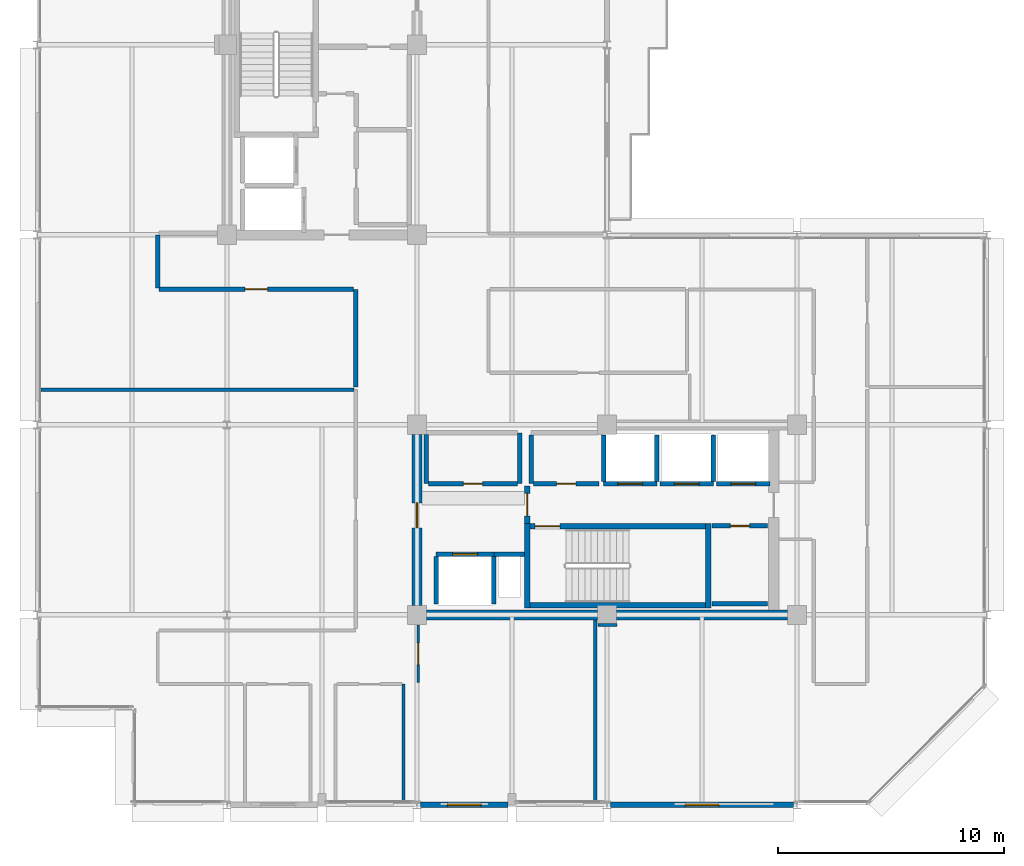
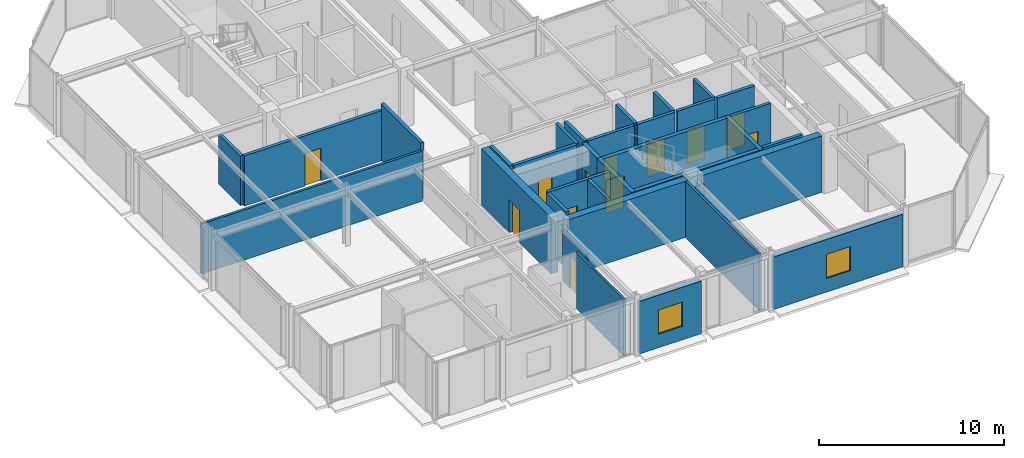
# One storey, part 21 of 27: 35 walls, 12 doors, 2 windows, 14 openings.
"""IFC4 building model written with IfcOpenShell, lengths in metres."""

from ifc_helpers import new_model, si_unit, direction, frame, frame_2d, origin, place, context, subcontext, project, spatial, rectangle, extrude, material, layer, layer_set, type_object, element, fill, save


model = new_model("IFC4")

# Units and contexts
model_context = context("Model", 3, precision=1e-05, world=origin(), true_north=direction((0.0, 1.0)))
body_context = subcontext(model_context, "Body", "Model", "MODEL_VIEW")
ifc_project = project(units=[si_unit("LENGTHUNIT", "METRE"), si_unit("AREAUNIT", "SQUARE_METRE"), si_unit("VOLUMEUNIT", "CUBIC_METRE"), si_unit("PLANEANGLEUNIT", "RADIAN"), si_unit("MASSUNIT", "GRAM", prefix="KILO")], contexts=[model_context])

# Site, building, storey
site_placement = place(None, origin())
site = spatial("IfcSite", under=ifc_project, at=site_placement, CompositionType="ELEMENT")
building_placement = place(site_placement, origin())
building = spatial("IfcBuilding", under=site, at=building_placement, Name="Nerrivon Quay Data Exchange", CompositionType="ELEMENT")
storey_placement = place(building_placement, frame((0.0, 0.0, 254.199951171875)))
storey = spatial("IfcBuildingStorey", under=building, at=storey_placement, Name="L60", CompositionType="ELEMENT", Elevation=254.199951171875)

# Wall, opening, window
ifc_material_1 = material(Name="Architectural terracotta precast concrete N50 (50 MPa)", Category="masonry")
ifc_layer_1 = layer(ifc_material_1, 0.239990234375)
ifc_layer_set_1 = layer_set([ifc_layer_1], Name="Architectural terracotta precast concrete N50 (50 MPa)")
wall_type_1 = type_object("IfcWallType", Name="EW-PREC-240", PredefinedType="STANDARD", material=ifc_layer_set_1)
wall_1_placement = place(storey_placement, frame((33.444580078125, 0.0, 0.0), z_axis=(0.0, 0.0, 1.0), x_axis=(-1.0, 0.0, 0.0)))
wall_1 = element("IfcWall", 1, at=wall_1_placement, inside=storey, type_object=wall_type_1, Name="L60 Podium Precast Spandrel Wall 3", PredefinedType="STANDARD", context=body_context, shape_type="SweptSolid", body=[
    extrude(rectangle(XDim=8.089111328125, YDim=0.239990234375, at=frame_2d((4.04443359375, 0.0))), origin(), (0.0, 0.0, 1.0), 3.47509765625),
])
opening_1_placement = place(wall_1_placement, frame((3.29443359375, 0.0, 0.89990234375)))
opening_1 = element("IfcOpeningElement", 2, at=opening_1_placement, cuts=wall_1, Name="Opening WN4", PredefinedType="OPENING", context=body_context, shape_type="SweptSolid", body=[
    extrude(rectangle(XDim=1.5, YDim=1.60009765625, at=frame_2d((0.75, 0.800048828125))), frame((0.0, 0.1298828125, 0.0), z_axis=(0.0, -1.0, 0.0), x_axis=(1.0, 0.0, 0.0)), (0.0, 0.0, 1.0), 0.260009765625),
])
ifc_material_2 = material(Name="Double-glazed low-E solar control glass", Category="glass")
window_type = type_object("IfcWindowType", Name="WIN-W4-1500x1600", PartitioningType="SINGLE_PANEL", PredefinedType="WINDOW", material=ifc_material_2)
window_1_placement = place(opening_1_placement, origin())
window_1 = element("IfcWindow", 3, at=window_1_placement, inside=storey, type_object=window_type, Name="L60 Solar Facade Window 3", OverallHeight=1.60009765625, OverallWidth=1.5, PartitioningType="SINGLE_PANEL", PredefinedType="WINDOW", context=body_context, shape_type="SweptSolid", body=[
    extrude(rectangle(XDim=1.5, YDim=1.60009765625, at=frame_2d((0.75, 0.800048828125))), frame((0.0, 0.030029296875, 0.0), z_axis=(0.0, -1.0, 0.0), x_axis=(1.0, 0.0, 0.0)), (0.0, 0.0, 1.0), 0.06005859375),
])
fill(opening_1, window_1)

wall_2_placement = place(storey_placement, frame((20.824951171875, 0.0, 0.0), z_axis=(0.0, 0.0, 1.0), x_axis=(-1.0, 0.0, 0.0)))
wall_2 = element("IfcWall", 4, at=wall_2_placement, inside=storey, type_object=wall_type_1, Name="L60 Podium Precast Spandrel Wall 5", PredefinedType="STANDARD", context=body_context, shape_type="SweptSolid", body=[
    extrude(rectangle(XDim=3.869384765625, YDim=0.239990234375, at=frame_2d((1.9345703125, 0.0))), origin(), (0.0, 0.0, 1.0), 3.47509765625),
])
opening_2_placement = place(wall_2_placement, frame((1.184814453125, 0.0, 0.89990234375)))
opening_2 = element("IfcOpeningElement", 5, at=opening_2_placement, cuts=wall_2, Name="Opening WN4", PredefinedType="OPENING", context=body_context, shape_type="SweptSolid", body=[
    extrude(rectangle(XDim=1.5, YDim=1.60009765625, at=frame_2d((0.75, 0.800048828125))), frame((0.0, 0.1298828125, 0.0), z_axis=(0.0, -1.0, 0.0), x_axis=(1.0, 0.0, 0.0)), (0.0, 0.0, 1.0), 0.260009765625),
])
window_2_placement = place(opening_2_placement, origin())
window_2 = element("IfcWindow", 6, at=window_2_placement, inside=storey, type_object=window_type, Name="L60 Solar Facade Window 5", OverallHeight=1.60009765625, OverallWidth=1.5, PartitioningType="SINGLE_PANEL", PredefinedType="WINDOW", context=body_context, shape_type="SweptSolid", body=[
    extrude(rectangle(XDim=1.5, YDim=1.60009765625, at=frame_2d((0.75, 0.800048828125))), frame((0.0, 0.030029296875, 0.0), z_axis=(0.0, -1.0, 0.0), x_axis=(1.0, 0.0, 0.0)), (0.0, 0.0, 1.0), 0.06005859375),
])
fill(opening_2, window_2)

# Walls
ifc_material_3 = material(Name="Concrete N50 (50 MPa)", Category="concrete")
ifc_layer_2 = layer(ifc_material_3, 0.449951171875)
ifc_layer_set_2 = layer_set([ifc_layer_2], Name="Concrete N50 (50 MPa)")
wall_type_2 = type_object("IfcWallType", Name="WALL-CW-550", PredefinedType="SHEAR", material=ifc_layer_set_2)
wall_3_placement = place(storey_placement, frame((17.22509765625, 8.39990234375, 0.0), z_axis=(0.0, 0.0, 1.0), x_axis=(1.0, 0.0, 0.0)))
element("IfcWall", 7, at=wall_3_placement, inside=storey, type_object=wall_type_2, Name="L60 East Split-Core Shear Wall ECW-S1", PredefinedType="SHEAR", context=body_context, shape_type="SweptSolid", body=[
    extrude(rectangle(XDim=7.5498046875, YDim=0.449951171875, at=frame_2d((3.77490234375, 0.0))), origin(), (0.0, 0.0, 1.0), 3.72509765625),
])
wall_4_placement = place(storey_placement, frame((25.625, 8.39990234375, 0.0), z_axis=(0.0, 0.0, 1.0), x_axis=(1.0, 0.0, 0.0)))
element("IfcWall", 8, at=wall_4_placement, inside=storey, type_object=wall_type_2, Name="L60 East Split-Core Shear Wall ECW-S2", PredefinedType="SHEAR", context=body_context, shape_type="SweptSolid", body=[
    extrude(rectangle(XDim=7.550048828125, YDim=0.449951171875, at=frame_2d((3.77490234375, 0.0))), origin(), (0.0, 0.0, 1.0), 3.72509765625),
])

# Wall, opening, door
wall_5_placement = place(storey_placement, frame((16.800048828125, 8.824951171875, 0.0), z_axis=(0.0, 0.0, 1.0), x_axis=(0.0, 1.0, 0.0)))
wall_5 = element("IfcWall", 9, at=wall_5_placement, inside=storey, type_object=wall_type_2, Name="L60 East Split-Core Shear Wall ECW-W1", PredefinedType="SHEAR", context=body_context, shape_type="SweptSolid", body=[
    extrude(rectangle(XDim=7.550048828125, YDim=0.449951171875, at=frame_2d((3.77490234375, 0.0))), origin(), (0.0, 0.0, 1.0), 3.72509765625),
])
opening_3_placement = place(wall_5_placement, frame((3.425048828125, 0.0, 0.0)))
opening_3 = element("IfcOpeningElement", 10, at=opening_3_placement, cuts=wall_5, Name="Opening FD-120", PredefinedType="OPENING", context=body_context, shape_type="SweptSolid", body=[
    extrude(rectangle(XDim=1.10009765625, YDim=2.14990234375, at=frame_2d((0.550048828125, 1.074951171875))), frame((0.0, 0.23486328125, 0.0), z_axis=(0.0, -1.0, 0.0), x_axis=(1.0, 0.0, 0.0)), (0.0, 0.0, 1.0), 0.469970703125),
])
ifc_material_4 = material(Name="Powder-coated galvanized steel sheet", Category="steel")
door_type_1 = type_object("IfcDoorType", Name="DR-FD120-1100", OperationType="NOTDEFINED", PredefinedType="DOOR", material=ifc_material_4)
door_1_placement = place(opening_3_placement, origin())
door_1 = element("IfcDoor", 11, at=door_1_placement, inside=storey, type_object=door_type_1, Name="L60 East Core Lobby Fire Door", OperationType="SINGLE_SWING_RIGHT", OverallHeight=2.14990234375, OverallWidth=1.10009765625, PredefinedType="DOOR", context=body_context, shape_type="SweptSolid", body=[
    extrude(rectangle(XDim=1.10009765625, YDim=2.14990234375, at=frame_2d((0.550048828125, 1.074951171875))), frame((0.0, 0.02490234375, 0.0), z_axis=(0.0, -1.0, 0.0), x_axis=(1.0, 0.0, 0.0)), (0.0, 0.0, 1.0), 0.050048828125),
])
fill(opening_3, door_1)

# Wall
ifc_material_5 = material(Name="Gypsum plasterboard on cold-formed framing", Category="gypsum")
ifc_layer_3 = layer(ifc_material_5, 0.199951171875)
ifc_layer_set_3 = layer_set([ifc_layer_3], Name="Gypsum plasterboard on cold-formed framing")
wall_type_3 = type_object("IfcWallType", Name="WALL-FW-200", PredefinedType="PARTITIONING", material=ifc_layer_set_3)
wall_6_placement = place(storey_placement, frame((20.199951171875, 11.080078125, 0.0), z_axis=(0.0, 0.0, 1.0), x_axis=(1.0, 0.0, 0.0)))
element("IfcWall", 12, at=wall_6_placement, inside=storey, type_object=wall_type_3, Name="L60 East Core MEP Riser Shaft Wall N", PredefinedType="PARTITIONING", context=body_context, shape_type="SweptSolid", body=[
    extrude(rectangle(XDim=1.35009765625, YDim=0.199951171875, at=frame_2d((0.675048828125, 0.0))), origin(), (0.0, 0.0, 1.0), 3.72509765625),
])

# Wall, opening, door
wall_7_placement = place(storey_placement, frame((17.64990234375, 11.080078125, 0.0), z_axis=(0.0, 0.0, 1.0), x_axis=(1.0, 0.0, 0.0)))
wall_7 = element("IfcWall", 13, at=wall_7_placement, inside=storey, type_object=wall_type_3, Name="L60 Lift Front Wall FFL-2", PredefinedType="PARTITIONING", context=body_context, shape_type="SweptSolid", body=[
    extrude(rectangle(XDim=2.550048828125, YDim=0.199951171875, at=frame_2d((1.27490234375, 0.0))), origin(), (0.0, 0.0, 1.0), 3.72509765625),
])
opening_4_placement = place(wall_7_placement, frame((0.72509765625, 0.0, 0.0)))
opening_4 = element("IfcOpeningElement", 14, at=opening_4_placement, cuts=wall_7, Name="Opening LD-120", PredefinedType="OPENING", context=body_context, shape_type="SweptSolid", body=[
    extrude(rectangle(XDim=1.10009765625, YDim=2.199951171875, at=frame_2d((0.550048828125, 1.10009765625))), frame((0.0, 0.10986328125, 0.0), z_axis=(0.0, -1.0, 0.0), x_axis=(1.0, 0.0, 0.0)), (0.0, 0.0, 1.0), 0.219970703125),
])
door_type_2 = type_object("IfcDoorType", Name="DR-LIFT-LD120", OperationType="DOUBLE_DOOR_SLIDING", PredefinedType="DOOR", material=ifc_material_4)
door_2_placement = place(opening_4_placement, origin())
door_2 = element("IfcDoor", 15, at=door_2_placement, inside=storey, type_object=door_type_2, Name="L60 Lift Landing Sliding Door FFL-2", OperationType="DOUBLE_DOOR_SLIDING", OverallHeight=2.199951171875, OverallWidth=1.10009765625, PredefinedType="DOOR", context=body_context, shape_type="SweptSolid", body=[
    extrude(rectangle(XDim=1.10009765625, YDim=2.199951171875, at=frame_2d((0.550048828125, 1.10009765625))), frame((0.0, 0.02490234375, 0.0), z_axis=(0.0, -1.0, 0.0), x_axis=(1.0, 0.0, 0.0)), (0.0, 0.0, 1.0), 0.050048828125),
])
fill(opening_4, door_2)

# Walls
for number, where, z_axis, x_axis, name in (
    (16, (20.199951171875, 8.8798828125, 0.0), (0.0, 0.0, 1.0), (0.0, 1.0, 0.0), "L60 Lift Shaft Wall FFL-2 EAST"),
    (17, (17.64990234375, 8.8798828125, 0.0), (0.0, 0.0, 1.0), (0.0, 1.0, 0.0), "L60 Lift Shaft Wall FFL-2 WEST"),
):
    element("IfcWall", number, at=place(storey_placement, frame(where, z_axis=z_axis, x_axis=x_axis)), inside=storey, type_object=wall_type_3, Name=name, PredefinedType="PARTITIONING", context=body_context, shape_type="SweptSolid", body=[
        extrude(rectangle(XDim=2.10009765625, YDim=0.199951171875, at=frame_2d((1.050048828125, 0.0))), origin(), (0.0, 0.0, 1.0), 3.72509765625),
    ])

# Wall, opening, door
wall_8_placement = place(storey_placement, frame((25.050048828125, 14.199951171875, 0.0), z_axis=(0.0, 0.0, 1.0), x_axis=(1.0, 0.0, 0.0)))
wall_8 = element("IfcWall", 18, at=wall_8_placement, inside=storey, type_object=wall_type_3, Name="L60 Lift Front Wall PL7", PredefinedType="PARTITIONING", context=body_context, shape_type="SweptSolid", body=[
    extrude(rectangle(XDim=2.349853515625, YDim=0.199951171875, at=frame_2d((1.1748046875, 0.0))), origin(), (0.0, 0.0, 1.0), 3.72509765625),
])
opening_5_placement = place(wall_8_placement, frame((0.625, 0.0, 0.0)))
opening_5 = element("IfcOpeningElement", 19, at=opening_5_placement, cuts=wall_8, Name="Opening LD-120", PredefinedType="OPENING", context=body_context, shape_type="SweptSolid", body=[
    extrude(rectangle(XDim=1.10009765625, YDim=2.199951171875, at=frame_2d((0.550048828125, 1.10009765625))), frame((0.0, 0.10986328125, 0.0), z_axis=(0.0, -1.0, 0.0), x_axis=(1.0, 0.0, 0.0)), (0.0, 0.0, 1.0), 0.219970703125),
])
door_3_placement = place(opening_5_placement, origin())
door_3 = element("IfcDoor", 20, at=door_3_placement, inside=storey, type_object=door_type_2, Name="L60 Lift Landing Sliding Door PL7", OperationType="DOUBLE_DOOR_SLIDING", OverallHeight=2.199951171875, OverallWidth=1.10009765625, PredefinedType="DOOR", context=body_context, shape_type="SweptSolid", body=[
    extrude(rectangle(XDim=1.10009765625, YDim=2.199951171875, at=frame_2d((0.550048828125, 1.10009765625))), frame((0.0, 0.02490234375, 0.0), z_axis=(0.0, -1.0, 0.0), x_axis=(1.0, 0.0, 0.0)), (0.0, 0.0, 1.0), 0.050048828125),
])
fill(opening_5, door_3)

# Walls
for number, where, z_axis, x_axis, name in (
    (21, (27.39990234375, 14.300048828125, 0.0), (0.0, 0.0, 1.0), (0.0, 1.0, 0.0), "L60 Lift Shaft Wall PL7 EAST"),
    (22, (25.050048828125, 14.300048828125, 0.0), (0.0, 0.0, 1.0), (0.0, 1.0, 0.0), "L60 Lift Shaft Wall PL7 WEST"),
):
    element("IfcWall", number, at=place(storey_placement, frame(where, z_axis=z_axis, x_axis=x_axis)), inside=storey, type_object=wall_type_3, Name=name, PredefinedType="PARTITIONING", context=body_context, shape_type="SweptSolid", body=[
        extrude(rectangle(XDim=2.050048828125, YDim=0.199951171875, at=frame_2d((1.02490234375, 0.0))), origin(), (0.0, 0.0, 1.0), 3.72509765625),
    ])

# Wall, opening, door
wall_9_placement = place(storey_placement, frame((27.550048828125, 14.199951171875, 0.0), z_axis=(0.0, 0.0, 1.0), x_axis=(1.0, 0.0, 0.0)))
wall_9 = element("IfcWall", 23, at=wall_9_placement, inside=storey, type_object=wall_type_3, Name="L60 Lift Front Wall PL8", PredefinedType="PARTITIONING", context=body_context, shape_type="SweptSolid", body=[
    extrude(rectangle(XDim=2.349853515625, YDim=0.199951171875, at=frame_2d((1.1748046875, 0.0))), origin(), (0.0, 0.0, 1.0), 3.72509765625),
])
opening_6_placement = place(wall_9_placement, frame((0.625, 0.0, 0.0)))
opening_6 = element("IfcOpeningElement", 24, at=opening_6_placement, cuts=wall_9, Name="Opening LD-120", PredefinedType="OPENING", context=body_context, shape_type="SweptSolid", body=[
    extrude(rectangle(XDim=1.10009765625, YDim=2.199951171875, at=frame_2d((0.550048828125, 1.10009765625))), frame((0.0, 0.10986328125, 0.0), z_axis=(0.0, -1.0, 0.0), x_axis=(1.0, 0.0, 0.0)), (0.0, 0.0, 1.0), 0.219970703125),
])
door_4_placement = place(opening_6_placement, origin())
door_4 = element("IfcDoor", 25, at=door_4_placement, inside=storey, type_object=door_type_2, Name="L60 Lift Landing Sliding Door PL8", OperationType="DOUBLE_DOOR_SLIDING", OverallHeight=2.199951171875, OverallWidth=1.10009765625, PredefinedType="DOOR", context=body_context, shape_type="SweptSolid", body=[
    extrude(rectangle(XDim=1.10009765625, YDim=2.199951171875, at=frame_2d((0.550048828125, 1.10009765625))), frame((0.0, 0.02490234375, 0.0), z_axis=(0.0, -1.0, 0.0), x_axis=(1.0, 0.0, 0.0)), (0.0, 0.0, 1.0), 0.050048828125),
])
fill(opening_6, door_4)

# Wall
wall_10_placement = place(storey_placement, frame((29.89990234375, 14.300048828125, 0.0), z_axis=(0.0, 0.0, 1.0), x_axis=(0.0, 1.0, 0.0)))
element("IfcWall", 26, at=wall_10_placement, inside=storey, type_object=wall_type_3, Name="L60 Lift Shaft Wall PL8 EAST", PredefinedType="PARTITIONING", context=body_context, shape_type="SweptSolid", body=[
    extrude(rectangle(XDim=2.050048828125, YDim=0.199951171875, at=frame_2d((1.02490234375, 0.0))), origin(), (0.0, 0.0, 1.0), 3.72509765625),
])

# Wall, opening, door
wall_11_placement = place(storey_placement, frame((30.050048828125, 14.199951171875, 0.0), z_axis=(0.0, 0.0, 1.0), x_axis=(1.0, 0.0, 0.0)))
wall_11 = element("IfcWall", 27, at=wall_11_placement, inside=storey, type_object=wall_type_3, Name="L60 Lift Front Wall PL9", PredefinedType="PARTITIONING", context=body_context, shape_type="SweptSolid", body=[
    extrude(rectangle(XDim=2.349853515625, YDim=0.199951171875, at=frame_2d((1.1748046875, 0.0))), origin(), (0.0, 0.0, 1.0), 3.72509765625),
])
opening_7_placement = place(wall_11_placement, frame((0.625, 0.0, 0.0)))
opening_7 = element("IfcOpeningElement", 28, at=opening_7_placement, cuts=wall_11, Name="Opening LD-120", PredefinedType="OPENING", context=body_context, shape_type="SweptSolid", body=[
    extrude(rectangle(XDim=1.10009765625, YDim=2.199951171875, at=frame_2d((0.550048828125, 1.10009765625))), frame((0.0, 0.10986328125, 0.0), z_axis=(0.0, -1.0, 0.0), x_axis=(1.0, 0.0, 0.0)), (0.0, 0.0, 1.0), 0.219970703125),
])
door_5_placement = place(opening_7_placement, origin())
door_5 = element("IfcDoor", 29, at=door_5_placement, inside=storey, type_object=door_type_2, Name="L60 Lift Landing Sliding Door PL9", OperationType="DOUBLE_DOOR_SLIDING", OverallHeight=2.199951171875, OverallWidth=1.10009765625, PredefinedType="DOOR", context=body_context, shape_type="SweptSolid", body=[
    extrude(rectangle(XDim=1.10009765625, YDim=2.199951171875, at=frame_2d((0.550048828125, 1.10009765625))), frame((0.0, 0.02490234375, 0.0), z_axis=(0.0, -1.0, 0.0), x_axis=(1.0, 0.0, 0.0)), (0.0, 0.0, 1.0), 0.050048828125),
])
fill(opening_7, door_5)

# Walls
wall_12_placement = place(storey_placement, frame((21.35009765625, 14.199951171875, 0.0), z_axis=(0.0, 0.0, 1.0), x_axis=(0.0, 1.0, 0.0)))
element("IfcWall", 30, at=wall_12_placement, inside=storey, type_object=wall_type_3, Name="L60 Partition High-Zone Optical Closet", PredefinedType="PARTITIONING", context=body_context, shape_type="SweptSolid", body=[
    extrude(rectangle(XDim=2.25, YDim=0.199951171875, at=frame_2d((1.125, 0.0))), origin(), (0.0, 0.0, 1.0), 3.72509765625),
])
wall_13_placement = place(storey_placement, frame((17.199951171875, 16.3701171875, 0.0), z_axis=(0.0, 0.0, 1.0), x_axis=(0.0, -1.0, 0.0)))
element("IfcWall", 31, at=wall_13_placement, inside=storey, type_object=wall_type_3, Name="L60 Partition High-Zone Optical Closet", PredefinedType="PARTITIONING", context=body_context, shape_type="SweptSolid", body=[
    extrude(rectangle(XDim=2.170166015625, YDim=0.199951171875, at=frame_2d((1.0849609375, 0.0))), origin(), (0.0, 0.0, 1.0), 3.72509765625),
])

# Wall, opening, door
wall_14_placement = place(storey_placement, frame((17.303955078125, 14.199951171875, 0.0), z_axis=(0.0, 0.0, 1.0), x_axis=(1.0, 0.0, 0.0)))
wall_14 = element("IfcWall", 32, at=wall_14_placement, inside=storey, type_object=wall_type_3, Name="L60 Partition High-Zone Optical Closet", PredefinedType="PARTITIONING", context=body_context, shape_type="SweptSolid", body=[
    extrude(rectangle(XDim=3.942138671875, YDim=0.199951171875, at=frame_2d((1.97119140625, 0.0))), origin(), (0.0, 0.0, 1.0), 3.72509765625),
])
opening_8_placement = place(wall_14_placement, frame((1.5458984375, 0.0, 0.0)))
opening_8 = element("IfcOpeningElement", 33, at=opening_8_placement, cuts=wall_14, Name="Opening FD-60S", PredefinedType="OPENING", context=body_context, shape_type="SweptSolid", body=[
    extrude(rectangle(XDim=0.85009765625, YDim=2.14990234375, at=frame_2d((0.425048828125, 1.074951171875))), frame((0.0, 0.10986328125, 0.0), z_axis=(0.0, -1.0, 0.0), x_axis=(1.0, 0.0, 0.0)), (0.0, 0.0, 1.0), 0.219970703125),
])
ifc_material_6 = material(Name="Engineered hardwood timber", Category="wood")
door_type_3 = type_object("IfcDoorType", Name="DR-FD60-850", OperationType="NOTDEFINED", PredefinedType="DOOR", material=ifc_material_6)
door_6_placement = place(opening_8_placement, origin())
door_6 = element("IfcDoor", 34, at=door_6_placement, inside=storey, type_object=door_type_3, Name="L60 Door High-Zone Optical Closet", OperationType="SINGLE_SWING_LEFT", OverallHeight=2.14990234375, OverallWidth=0.85009765625, PredefinedType="DOOR", context=body_context, shape_type="SweptSolid", body=[
    extrude(rectangle(XDim=0.85009765625, YDim=2.14990234375, at=frame_2d((0.425048828125, 1.074951171875))), frame((0.0, 0.02490234375, 0.0), z_axis=(0.0, -1.0, 0.0), x_axis=(1.0, 0.0, 0.0)), (0.0, 0.0, 1.0), 0.050048828125),
])
fill(opening_8, door_6)

# Wall
wall_15_placement = place(storey_placement, frame((21.85009765625, 16.345947265625, 0.0), z_axis=(0.0, 0.0, 1.0), x_axis=(0.0, -1.0, 0.0)))
element("IfcWall", 35, at=wall_15_placement, inside=storey, type_object=wall_type_3, Name="L60 Partition High-Zone Supply Store", PredefinedType="PARTITIONING", context=body_context, shape_type="SweptSolid", body=[
    extrude(rectangle(XDim=2.14599609375, YDim=0.199951171875, at=frame_2d((1.072998046875, 0.0))), origin(), (0.0, 0.0, 1.0), 3.72509765625),
])

# Wall, opening, door
wall_16_placement = place(storey_placement, frame((21.9541015625, 14.199951171875, 0.0), z_axis=(0.0, 0.0, 1.0), x_axis=(1.0, 0.0, 0.0)))
wall_16 = element("IfcWall", 36, at=wall_16_placement, inside=storey, type_object=wall_type_3, Name="L60 Partition High-Zone Supply Store", PredefinedType="PARTITIONING", context=body_context, shape_type="SweptSolid", body=[
    extrude(rectangle(XDim=2.89599609375, YDim=0.199951171875, at=frame_2d((1.447998046875, 0.0))), origin(), (0.0, 0.0, 1.0), 3.72509765625),
])
opening_9_placement = place(wall_16_placement, frame((1.02294921875, 0.0, 0.0)))
opening_9 = element("IfcOpeningElement", 37, at=opening_9_placement, cuts=wall_16, Name="Opening FD-60S", PredefinedType="OPENING", context=body_context, shape_type="SweptSolid", body=[
    extrude(rectangle(XDim=0.85009765625, YDim=2.14990234375, at=frame_2d((0.425048828125, 1.074951171875))), frame((0.0, 0.10986328125, 0.0), z_axis=(0.0, -1.0, 0.0), x_axis=(1.0, 0.0, 0.0)), (0.0, 0.0, 1.0), 0.219970703125),
])
door_7_placement = place(opening_9_placement, origin())
door_7 = element("IfcDoor", 38, at=door_7_placement, inside=storey, type_object=door_type_3, Name="L60 Door High-Zone Supply Store", OperationType="SINGLE_SWING_RIGHT", OverallHeight=2.14990234375, OverallWidth=0.85009765625, PredefinedType="DOOR", context=body_context, shape_type="SweptSolid", body=[
    extrude(rectangle(XDim=0.85009765625, YDim=2.14990234375, at=frame_2d((0.425048828125, 1.074951171875))), frame((0.0, 0.02490234375, 0.0), z_axis=(0.0, -1.0, 0.0), x_axis=(1.0, 0.0, 0.0)), (0.0, 0.0, 1.0), 0.050048828125),
])
fill(opening_9, door_7)

wall_17_placement = place(storey_placement, frame((32.300048828125, 12.330078125, 0.0), z_axis=(0.0, 0.0, 1.0), x_axis=(-1.0, 0.0, 0.0)))
wall_17 = element("IfcWall", 39, at=wall_17_placement, inside=storey, type_object=wall_type_3, Name="L60 Partition East Supply Store", PredefinedType="PARTITIONING", context=body_context, shape_type="SweptSolid", body=[
    extrude(rectangle(XDim=2.449951171875, YDim=0.199951171875, at=frame_2d((1.22509765625, 0.0))), origin(), (0.0, 0.0, 1.0), 3.72509765625),
])
opening_10_placement = place(wall_17_placement, frame((0.800048828125, 0.0, 0.0)))
opening_10 = element("IfcOpeningElement", 40, at=opening_10_placement, cuts=wall_17, Name="Opening FD-60S", PredefinedType="OPENING", context=body_context, shape_type="SweptSolid", body=[
    extrude(rectangle(XDim=0.85009765625, YDim=2.14990234375, at=frame_2d((0.425048828125, 1.074951171875))), frame((0.0, 0.10986328125, 0.0), z_axis=(0.0, -1.0, 0.0), x_axis=(1.0, 0.0, 0.0)), (0.0, 0.0, 1.0), 0.219970703125),
])
door_8_placement = place(opening_10_placement, origin())
door_8 = element("IfcDoor", 41, at=door_8_placement, inside=storey, type_object=door_type_3, Name="L60 Door East Supply Store", OperationType="SINGLE_SWING_LEFT", OverallHeight=2.14990234375, OverallWidth=0.85009765625, PredefinedType="DOOR", context=body_context, shape_type="SweptSolid", body=[
    extrude(rectangle(XDim=0.85009765625, YDim=2.14990234375, at=frame_2d((0.425048828125, 1.074951171875))), frame((0.0, 0.02490234375, 0.0), z_axis=(0.0, -1.0, 0.0), x_axis=(1.0, 0.0, 0.0)), (0.0, 0.0, 1.0), 0.050048828125),
])
fill(opening_10, door_8)

# Walls
wall_18_placement = place(storey_placement, frame((29.85009765625, 8.89990234375, 0.0), z_axis=(0.0, 0.0, 1.0), x_axis=(1.0, 0.0, 0.0)))
element("IfcWall", 42, at=wall_18_placement, inside=storey, type_object=wall_type_3, Name="L60 Partition East Supply Store", PredefinedType="PARTITIONING", context=body_context, shape_type="SweptSolid", body=[
    extrude(rectangle(XDim=2.449951171875, YDim=0.199951171875, at=frame_2d((1.22509765625, 0.0))), origin(), (0.0, 0.0, 1.0), 3.72509765625),
])
wall_19_placement = place(storey_placement, frame((14.090087890625, 18.474853515625, 0.0), z_axis=(0.0, 0.0, 1.0), x_axis=(0.0, 1.0, 0.0)))
element("IfcWall", 43, at=wall_19_placement, inside=storey, type_object=wall_type_3, Name="L60 Partition Colocation Data Workspace 1", PredefinedType="PARTITIONING", context=body_context, shape_type="SweptSolid", body=[
    extrude(rectangle(XDim=4.315185546875, YDim=0.199951171875, at=frame_2d((2.15771484375, 0.0))), origin(), (0.0, 0.0, 1.0), 3.72509765625),
])

# Wall, opening, door
wall_20_placement = place(storey_placement, frame((13.986083984375, 22.7900390625, 0.0), z_axis=(0.0, 0.0, 1.0), x_axis=(-1.0, 0.0, 0.0)))
wall_20 = element("IfcWall", 44, at=wall_20_placement, inside=storey, type_object=wall_type_3, Name="L60 Partition Colocation Data Workspace 1", PredefinedType="PARTITIONING", context=body_context, shape_type="SweptSolid", body=[
    extrude(rectangle(XDim=8.586181640625, YDim=0.199951171875, at=frame_2d((4.29296875, 0.0))), origin(), (0.0, 0.0, 1.0), 3.319091796875),
])
opening_11_placement = place(wall_20_placement, frame((3.79296875, 0.0, 0.0)))
opening_11 = element("IfcOpeningElement", 45, at=opening_11_placement, cuts=wall_20, Name="Opening FD-60", PredefinedType="OPENING", context=body_context, shape_type="SweptSolid", body=[
    extrude(rectangle(XDim=1.0, YDim=2.14990234375, at=frame_2d((0.5, 1.074951171875))), frame((0.0, 0.10986328125, 0.0), z_axis=(0.0, -1.0, 0.0), x_axis=(1.0, 0.0, 0.0)), (0.0, 0.0, 1.0), 0.219970703125),
])
door_type_4 = type_object("IfcDoorType", Name="DR-FD60-1000", OperationType="NOTDEFINED", PredefinedType="DOOR", material=ifc_material_6)
door_9_placement = place(opening_11_placement, origin())
door_9 = element("IfcDoor", 46, at=door_9_placement, inside=storey, type_object=door_type_4, Name="L60 Door Colocation Data Workspace 1", OperationType="SINGLE_SWING_LEFT", OverallHeight=2.14990234375, OverallWidth=1.0, PredefinedType="DOOR", context=body_context, shape_type="SweptSolid", body=[
    extrude(rectangle(XDim=1.0, YDim=2.14990234375, at=frame_2d((0.5, 1.074951171875))), frame((0.0, 0.02490234375, 0.0), z_axis=(0.0, -1.0, 0.0), x_axis=(1.0, 0.0, 0.0)), (0.0, 0.0, 1.0), 0.050048828125),
])
fill(opening_11, door_9)

# Wall
wall_21_placement = place(storey_placement, frame((5.340087890625, 22.85009765625, 0.0), z_axis=(0.0, 0.0, 1.0), x_axis=(0.0, 1.0, 0.0)))
element("IfcWall", 47, at=wall_21_placement, inside=storey, type_object=wall_type_3, Name="L60 Partition Colocation Data Workspace 1", PredefinedType="PARTITIONING", context=body_context, shape_type="SweptSolid", body=[
    extrude(rectangle(XDim=2.349853515625, YDim=0.199951171875, at=frame_2d((1.1748046875, 0.0))), origin(), (0.0, 0.0, 1.0), 3.27099609375),
])

# Wall, opening, door
ifc_layer_4 = layer(ifc_material_5, 0.1201171875)
ifc_layer_set_4 = layer_set([ifc_layer_4], Name="Gypsum plasterboard on cold-formed framing")
wall_type_4 = type_object("IfcWallType", Name="WALL-PT-120", PredefinedType="PARTITIONING", material=ifc_layer_set_4)
wall_22_placement = place(storey_placement, frame((16.860107421875, 7.955078125, 0.0), z_axis=(0.0, 0.0, 1.0), x_axis=(0.0, -1.0, 0.0)))
wall_22 = element("IfcWall", 48, at=wall_22_placement, inside=storey, type_object=wall_type_4, Name="L60 Partition Staff Tea Pantry", PredefinedType="PARTITIONING", context=body_context, shape_type="SweptSolid", body=[
    extrude(rectangle(XDim=2.55517578125, YDim=0.1201171875, at=frame_2d((1.277587890625, 0.0))), origin(), (0.0, 0.0, 1.0), 3.319091796875),
])
opening_12_placement = place(wall_22_placement, frame((0.802490234375, 0.0, 0.0)))
opening_12 = element("IfcOpeningElement", 49, at=opening_12_placement, cuts=wall_22, Name="Opening D-01", PredefinedType="OPENING", context=body_context, shape_type="SweptSolid", body=[
    extrude(rectangle(XDim=0.949951171875, YDim=2.14990234375, at=frame_2d((0.47509765625, 1.074951171875))), frame((0.0, 0.070068359375, 0.0), z_axis=(0.0, -1.0, 0.0), x_axis=(1.0, 0.0, 0.0)), (0.0, 0.0, 1.0), 0.14013671875),
])
door_type_5 = type_object("IfcDoorType", Name="DR-INT-950", OperationType="NOTDEFINED", PredefinedType="DOOR", material=ifc_material_6)
door_10_placement = place(opening_12_placement, origin())
door_10 = element("IfcDoor", 50, at=door_10_placement, inside=storey, type_object=door_type_5, Name="L60 Door Staff Tea Pantry", OperationType="SINGLE_SWING_RIGHT", OverallHeight=2.14990234375, OverallWidth=0.949951171875, PredefinedType="DOOR", context=body_context, shape_type="SweptSolid", body=[
    extrude(rectangle(XDim=0.949951171875, YDim=2.14990234375, at=frame_2d((0.47509765625, 1.074951171875))), frame((0.0, 0.02490234375, 0.0), z_axis=(0.0, -1.0, 0.0), x_axis=(1.0, 0.0, 0.0)), (0.0, 0.0, 1.0), 0.050048828125),
])
fill(opening_12, door_10)

# Walls
wall_23_placement = place(storey_placement, frame((25.630859375, 7.955810546875, 0.0), z_axis=(0.0, 0.0, 1.0), x_axis=(-0.999999606339, -0.000887311097, 0.0)))
element("IfcWall", 51, at=wall_23_placement, inside=storey, type_object=wall_type_4, Name="L60 Partition Peering Day Lounge", PredefinedType="PARTITIONING", context=body_context, shape_type="SweptSolid", body=[
    extrude(rectangle(XDim=0.825439453125, YDim=0.1201171875, at=frame_2d((0.41259765625, 0.0))), origin(), (0.0, 0.0, 1.0), 3.319091796875),
])
ifc_layer_5 = layer(ifc_material_5, 0.135009765625)
ifc_layer_set_5 = layer_set([ifc_layer_5], Name="Gypsum plasterboard on cold-formed framing")
wall_type_5 = type_object("IfcWallType", Name="WALL-PT-135", PredefinedType="PARTITIONING", material=ifc_layer_set_5)
wall_24_placement = place(storey_placement, frame((16.199951171875, 0.1689453125, 0.0), z_axis=(0.0, 0.0, 1.0), x_axis=(0.0, 1.0, 0.0)))
element("IfcWall", 52, at=wall_24_placement, inside=storey, type_object=wall_type_5, Name="L60 Partition Accessible Toilet", PredefinedType="PARTITIONING", context=body_context, shape_type="SweptSolid", body=[
    extrude(rectangle(XDim=5.171142578125, YDim=0.135009765625, at=frame_2d((2.58544921875, 0.0))), origin(), (0.0, 0.0, 1.0), 3.72509765625),
])
ifc_layer_6 = layer(ifc_material_5, 0.14990234375)
ifc_layer_set_6 = layer_set([ifc_layer_6], Name="Gypsum plasterboard on cold-formed framing")
wall_type_6 = type_object("IfcWallType", Name="WALL-PT-150", PredefinedType="PARTITIONING", material=ifc_layer_set_6)
wall_25_placement = place(storey_placement, frame((24.685546875, 0.1689453125, 0.0), z_axis=(0.0, 0.0, 1.0), x_axis=(0.0, 1.0, 0.0)))
element("IfcWall", 53, at=wall_25_placement, inside=storey, type_object=wall_type_6, Name="L60 Partition Staff Tea Pantry", PredefinedType="PARTITIONING", context=body_context, shape_type="SweptSolid", body=[
    extrude(rectangle(XDim=8.001953125, YDim=0.14990234375, at=frame_2d((4.0009765625, 0.0))), origin(), (0.0, 0.0, 1.0), 3.72509765625),
])
wall_26_placement = place(storey_placement, frame((14.010986328125, 18.354736328125, 0.0), z_axis=(0.0, 0.0, 1.0), x_axis=(-1.0, 0.0, 0.0)))
element("IfcWall", 54, at=wall_26_placement, inside=storey, type_object=wall_type_6, Name="L60 Partition Technical Library", PredefinedType="PARTITIONING", context=body_context, shape_type="SweptSolid", body=[
    extrude(rectangle(XDim=13.842041015625, YDim=0.14990234375, at=frame_2d((6.9208984375, 0.0))), origin(), (0.0, 0.0, 1.0), 3.319091796875),
])
ifc_layer_7 = layer(ifc_material_3, 0.25)
ifc_layer_set_7 = layer_set([ifc_layer_7], Name="Concrete N50 (50 MPa)")
wall_type_7 = type_object("IfcWallType", Name="WALL-SW-250", PredefinedType="SHEAR", material=ifc_layer_set_7)
for number, where, z_axis, x_axis, name in (
    (55, (21.675048828125, 8.699951171875, 0.0), (0.0, 0.0, 1.0), (0.0, 1.0, 0.0), "L60 ST02 Structural Stair Core Wall NEAR"),
    (56, (29.675048828125, 8.699951171875, 0.0), (0.0, 0.0, 1.0), (0.0, 1.0, 0.0), "L60 ST02 Structural Stair Core Wall FAR"),
):
    element("IfcWall", number, at=place(storey_placement, frame(where, z_axis=z_axis, x_axis=x_axis)), inside=storey, type_object=wall_type_7, Name=name, PredefinedType="SHEAR", context=body_context, shape_type="SweptSolid", body=[
        extrude(rectangle(XDim=3.75, YDim=0.25, at=frame_2d((1.875, 0.0))), origin(), (0.0, 0.0, 1.0), 3.72509765625),
    ])
wall_27_placement = place(storey_placement, frame((21.800048828125, 8.824951171875, 0.0), z_axis=(0.0, 0.0, 1.0), x_axis=(1.0, 0.0, 0.0)))
element("IfcWall", 57, at=wall_27_placement, inside=storey, type_object=wall_type_7, Name="L60 ST02 Structural Stair Core Wall LEFT", PredefinedType="SHEAR", context=body_context, shape_type="SweptSolid", body=[
    extrude(rectangle(XDim=7.75, YDim=0.25, at=frame_2d((3.875, 0.0))), origin(), (0.0, 0.0, 1.0), 3.72509765625),
])

# Wall, opening, door
wall_28_placement = place(storey_placement, frame((21.800048828125, 12.324951171875, 0.0), z_axis=(0.0, 0.0, 1.0), x_axis=(1.0, 0.0, 0.0)))
wall_28 = element("IfcWall", 58, at=wall_28_placement, inside=storey, type_object=wall_type_7, Name="L60 ST02 Structural Stair Core Wall RIGHT", PredefinedType="SHEAR", context=body_context, shape_type="SweptSolid", body=[
    extrude(rectangle(XDim=7.75, YDim=0.25, at=frame_2d((3.875, 0.0))), origin(), (0.0, 0.0, 1.0), 3.72509765625),
])
opening_13_placement = place(wall_28_placement, frame((0.219970703125, 0.0, 0.0)))
opening_13 = element("IfcOpeningElement", 59, at=opening_13_placement, cuts=wall_28, Name="Opening FD-120", PredefinedType="OPENING", context=body_context, shape_type="SweptSolid", body=[
    extrude(rectangle(XDim=1.10009765625, YDim=2.14990234375, at=frame_2d((0.550048828125, 1.074951171875))), frame((0.0, 0.135009765625, 0.0), z_axis=(0.0, -1.0, 0.0), x_axis=(1.0, 0.0, 0.0)), (0.0, 0.0, 1.0), 0.27001953125),
])
door_11_placement = place(opening_13_placement, origin())
door_11 = element("IfcDoor", 60, at=door_11_placement, inside=storey, type_object=door_type_1, Name="L60 Protected Stair Door ST02", OperationType="SINGLE_SWING_RIGHT", OverallHeight=2.14990234375, OverallWidth=1.10009765625, PredefinedType="DOOR", context=body_context, shape_type="SweptSolid", body=[
    extrude(rectangle(XDim=1.10009765625, YDim=2.14990234375, at=frame_2d((0.550048828125, 1.074951171875))), frame((0.0, 0.02490234375, 0.0), z_axis=(0.0, -1.0, 0.0), x_axis=(1.0, 0.0, 0.0)), (0.0, 0.0, 1.0), 0.050048828125),
])
fill(opening_13, door_11)

wall_29_placement = place(storey_placement, frame((21.679931640625, 12.449951171875, 0.0), z_axis=(0.0, 0.0, 1.0), x_axis=(0.0, 1.0, 0.0)))
wall_29 = element("IfcWall", 61, at=wall_29_placement, inside=storey, type_object=wall_type_7, Name="L60 East Firefighting Lobby Wall", PredefinedType="SHEAR", context=body_context, shape_type="SweptSolid", body=[
    extrude(rectangle(XDim=1.650146484375, YDim=0.25, at=frame_2d((0.8251953125, 0.0))), origin(), (0.0, 0.0, 1.0), 3.72509765625),
])
opening_14_placement = place(wall_29_placement, frame((0.324951171875, 0.0, 0.0)))
opening_14 = element("IfcOpeningElement", 62, at=opening_14_placement, cuts=wall_29, Name="Opening FD-60", PredefinedType="OPENING", context=body_context, shape_type="SweptSolid", body=[
    extrude(rectangle(XDim=1.0, YDim=2.14990234375, at=frame_2d((0.5, 1.074951171875))), frame((0.0, 0.135009765625, 0.0), z_axis=(0.0, -1.0, 0.0), x_axis=(1.0, 0.0, 0.0)), (0.0, 0.0, 1.0), 0.27001953125),
])
door_12_placement = place(opening_14_placement, origin())
door_12 = element("IfcDoor", 63, at=door_12_placement, inside=storey, type_object=door_type_4, Name="L60 East Firefighting Lobby Fire Door", OperationType="SINGLE_SWING_RIGHT", OverallHeight=2.14990234375, OverallWidth=1.0, PredefinedType="DOOR", context=body_context, shape_type="SweptSolid", body=[
    extrude(rectangle(XDim=1.0, YDim=2.14990234375, at=frame_2d((0.5, 1.074951171875))), frame((0.0, 0.02490234375, 0.0), z_axis=(0.0, -1.0, 0.0), x_axis=(1.0, 0.0, 0.0)), (0.0, 0.0, 1.0), 0.050048828125),
])
fill(opening_14, door_12)

save(model, "model.ifc")
